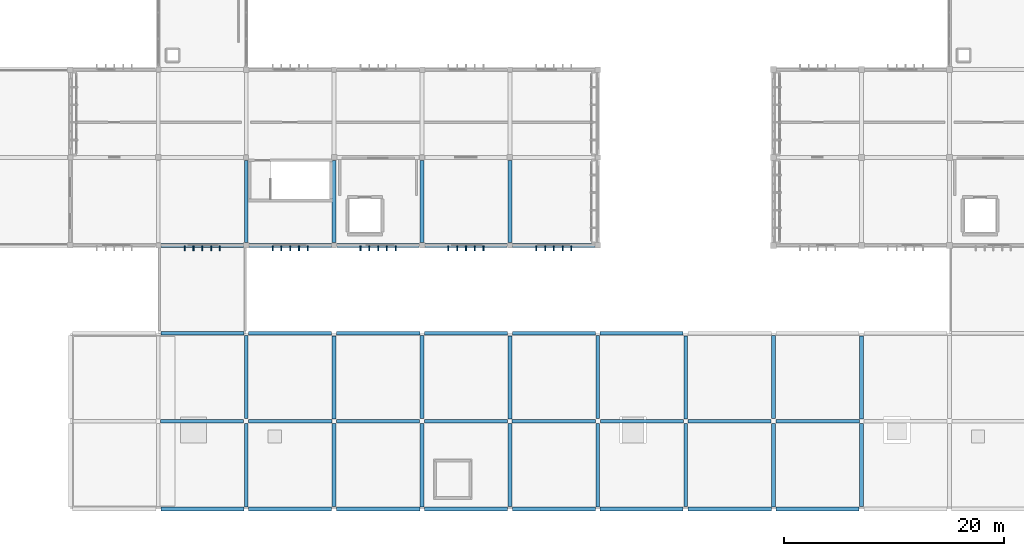
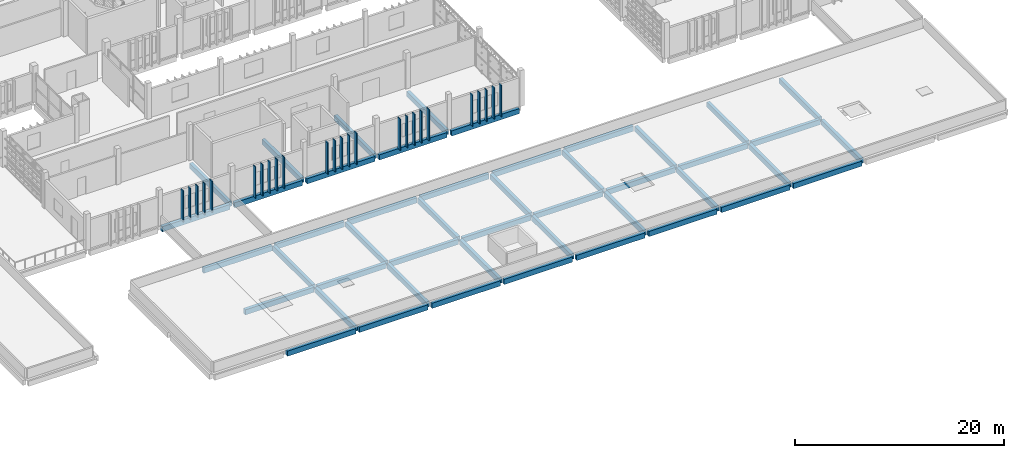
# One storey, part 7 of 48: 47 beams, 25 members.
"""IFC4 building model written with IfcOpenShell, lengths in metres."""

from ifc_helpers import new_model, si_unit, direction, frame, origin, origin_2d, place, context, subcontext, project, spatial, rectangle, extrude, material, material_profile, profile_set, type_object, element, save


model = new_model("IFC4")

# Units and contexts
model_context = context("Model", 3, precision=1e-05, world=origin(), true_north=direction((0.0, 1.0)))
body_context = subcontext(model_context, "Body", "Model", "MODEL_VIEW")
ifc_project = project(units=[si_unit("LENGTHUNIT", "METRE"), si_unit("AREAUNIT", "SQUARE_METRE"), si_unit("VOLUMEUNIT", "CUBIC_METRE"), si_unit("PLANEANGLEUNIT", "RADIAN"), si_unit("MASSUNIT", "GRAM", prefix="KILO")], contexts=[model_context])

# Site, building, storey
site_placement = place(None, origin())
site = spatial("IfcSite", under=ifc_project, at=site_placement, CompositionType="ELEMENT")
building_placement = place(site_placement, origin())
building = spatial("IfcBuilding", under=site, at=building_placement, Name="Jelvoka-Kovrelna Polytechnic", CompositionType="ELEMENT")
storey_placement = place(building_placement, frame((0.0, 0.0, 22.199951171875)))
storey = spatial("IfcBuildingStorey", under=building, at=storey_placement, Name="L06", CompositionType="ELEMENT", Elevation=22.199951171875)

# Beams
ifc_material_1 = material(Name="Concrete C35/45", Category="concrete")
ifc_material_profile_1 = material_profile(ifc_material_1, rectangle(XDim=0.35009765625, YDim=0.60009765625, at=origin_2d()), Name="RC 350x600")
ifc_profile_set_1 = profile_set([ifc_material_profile_1], Name="Concrete C35/45")
beam_type_1 = type_object("IfcBeamType", Name="Beam_RC_350x600", PredefinedType="BEAM", material=ifc_profile_set_1)
for number, where, z_axis, x_axis, name in (
    (1, (80.0, 32.2548828125, -0.5400390625), (0.0, 1.0, 0.0), (-1.0, 0.0, 0.0), "L06 beam 1642"),
    (2, (88.0, 32.2548828125, -0.5400390625), (0.0, 1.0, 0.0), (-1.0, 0.0, 0.0), "L06 beam 1644"),
    (3, (96.0, 32.2548828125, -0.5400390625), (0.0, 1.0, 0.0), (-1.0, 0.0, 0.0), "L06 beam 1646"),
    (4, (104.0, 32.2548828125, -0.5400390625), (0.0, 1.0, 0.0), (-1.0, 0.0, 0.0), "L06 beam 1648"),
):
    element("IfcBeam", number, at=place(storey_placement, frame(where, z_axis=z_axis, x_axis=x_axis)), inside=storey, type_object=beam_type_1, Name=name, PredefinedType="BEAM", context=body_context, shape_type="SweptSolid", body=[
        extrude(rectangle(XDim=0.35009765625, YDim=0.60009765625, at=origin_2d()), origin(), (0.0, 0.0, 1.0), 7.490234375),
    ])
for number, where, z_axis, x_axis, name in (
    (5, (72.205078125, 16.0, -0.5400390625), (1.0, 0.0, 0.0), (0.0, 1.0, 0.0), "L06 beam 2113"),
    (6, (80.22998046875, 16.0, -0.5400390625), (1.0, 0.0, 0.0), (0.0, 1.0, 0.0), "L06 beam 2114"),
    (7, (88.205078125, 16.0, -0.5400390625), (1.0, 0.0, 0.0), (0.0, 1.0, 0.0), "L06 beam 2115"),
    (8, (96.22998046875, 16.0, -0.5400390625), (1.0, 0.0, 0.0), (0.0, 1.0, 0.0), "L06 beam 2116"),
    (9, (104.205078125, 16.0, -0.5400390625), (1.0, 0.0, 0.0), (0.0, 1.0, 0.0), "L06 beam 2117"),
    (10, (112.22998046875, 16.0, -0.5400390625), (1.0, 0.0, 0.0), (0.0, 1.0, 0.0), "L06 beam 2118"),
    (11, (120.205078125, 16.0, -0.5400390625), (1.0, 0.0, 0.0), (0.0, 1.0, 0.0), "L06 beam 2119"),
    (12, (128.22998046875, 16.0, -0.5400390625), (1.0, 0.0, 0.0), (0.0, 1.0, 0.0), "L06 beam 2120"),
    (13, (80.0, 8.205078125, -0.5400390625), (0.0, 1.0, 0.0), (-1.0, 0.0, 0.0), "L06 beam 2138"),
    (14, (80.0, 16.22998046875, -0.5400390625), (0.0, 1.0, 0.0), (-1.0, 0.0, 0.0), "L06 beam 2139"),
    (15, (88.0, 8.22998046875, -0.5400390625), (0.0, 1.0, 0.0), (-1.0, 0.0, 0.0), "L06 beam 2140"),
    (16, (88.0, 16.205078125, -0.5400390625), (0.0, 1.0, 0.0), (-1.0, 0.0, 0.0), "L06 beam 2141"),
    (17, (96.0, 8.205078125, -0.5400390625), (0.0, 1.0, 0.0), (-1.0, 0.0, 0.0), "L06 beam 2142"),
    (18, (96.0, 16.22998046875, -0.5400390625), (0.0, 1.0, 0.0), (-1.0, 0.0, 0.0), "L06 beam 2143"),
    (19, (104.0, 8.22998046875, -0.5400390625), (0.0, 1.0, 0.0), (-1.0, 0.0, 0.0), "L06 beam 2144"),
    (20, (104.0, 16.205078125, -0.5400390625), (0.0, 1.0, 0.0), (-1.0, 0.0, 0.0), "L06 beam 2145"),
    (21, (112.0, 8.205078125, -0.5400390625), (0.0, 1.0, 0.0), (-1.0, 0.0, 0.0), "L06 beam 2146"),
    (22, (112.0, 16.22998046875, -0.5400390625), (0.0, 1.0, 0.0), (-1.0, 0.0, 0.0), "L06 beam 2147"),
    (23, (120.0, 8.22998046875, -0.5400390625), (0.0, 1.0, 0.0), (-1.0, 0.0, 0.0), "L06 beam 2148"),
    (24, (120.0, 16.205078125, -0.5400390625), (0.0, 1.0, 0.0), (-1.0, 0.0, 0.0), "L06 beam 2149"),
    (25, (128.0, 8.205078125, -0.5400390625), (0.0, 1.0, 0.0), (-1.0, 0.0, 0.0), "L06 beam 2150"),
    (26, (128.0, 16.22998046875, -0.5400390625), (0.0, 1.0, 0.0), (-1.0, 0.0, 0.0), "L06 beam 2151"),
    (27, (136.0, 8.22998046875, -0.5400390625), (0.0, 1.0, 0.0), (-1.0, 0.0, 0.0), "L06 beam 2152"),
    (28, (136.0, 16.205078125, -0.5400390625), (0.0, 1.0, 0.0), (-1.0, 0.0, 0.0), "L06 beam 2153"),
):
    element("IfcBeam", number, at=place(storey_placement, frame(where, z_axis=z_axis, x_axis=x_axis)), inside=storey, type_object=beam_type_1, Name=name, PredefinedType="BEAM", context=body_context, shape_type="SweptSolid", body=[
        extrude(rectangle(XDim=0.35009765625, YDim=0.60009765625, at=origin_2d()), origin(), (0.0, 0.0, 1.0), 7.56494140625),
    ])

# Members
ifc_material_2 = material(Name="Precast concrete C40/50", Category="concrete")
ifc_material_profile_2 = material_profile(ifc_material_2, rectangle(XDim=0.10009765625, YDim=0.449951171875, at=origin_2d()), Name="PC 100x450")
ifc_profile_set_2 = profile_set([ifc_material_profile_2], Name="Precast concrete C40/50")
member_type = type_object("IfcMemberType", Name="Louvre_Fin_100x450", PredefinedType="USERDEFINED", material=ifc_profile_set_2)
for number, where, z_axis, x_axis, name in (
    (29, (74.39990234375, 31.735107421875, -0.27001953125), (0.0, 0.0, 1.0), (1.0, 0.0, 0.0), "L06 B2W south vertical solar louvre fin 0821"),
    (30, (75.199951171875, 31.735107421875, -0.27001953125), (0.0, 0.0, 1.0), (1.0, 0.0, 0.0), "L06 B2W south vertical solar louvre fin 0822"),
    (31, (76.0, 31.735107421875, -0.27001953125), (0.0, 0.0, 1.0), (1.0, 0.0, 0.0), "L06 B2W south vertical solar louvre fin 0823"),
    (32, (76.800048828125, 31.735107421875, -0.27001953125), (0.0, 0.0, 1.0), (1.0, 0.0, 0.0), "L06 B2W south vertical solar louvre fin 0824"),
    (33, (77.60009765625, 31.735107421875, -0.27001953125), (0.0, 0.0, 1.0), (1.0, 0.0, 0.0), "L06 B2W south vertical solar louvre fin 0825"),
    (34, (82.39990234375, 31.735107421875, -0.27001953125), (0.0, 0.0, 1.0), (1.0, 0.0, 0.0), "L06 B2W south vertical solar louvre fin 0826"),
    (35, (83.199951171875, 31.735107421875, -0.27001953125), (0.0, 0.0, 1.0), (1.0, 0.0, 0.0), "L06 B2W south vertical solar louvre fin 0827"),
    (36, (84.0, 31.735107421875, -0.27001953125), (0.0, 0.0, 1.0), (1.0, 0.0, 0.0), "L06 B2W south vertical solar louvre fin 0828"),
    (37, (84.800048828125, 31.735107421875, -0.27001953125), (0.0, 0.0, 1.0), (1.0, 0.0, 0.0), "L06 B2W south vertical solar louvre fin 0829"),
    (38, (85.60009765625, 31.735107421875, -0.27001953125), (0.0, 0.0, 1.0), (1.0, 0.0, 0.0), "L06 B2W south vertical solar louvre fin 0830"),
    (39, (90.39990234375, 31.735107421875, -0.27001953125), (0.0, 0.0, 1.0), (1.0, 0.0, 0.0), "L06 B2W south vertical solar louvre fin 0836"),
    (40, (91.199951171875, 31.735107421875, -0.27001953125), (0.0, 0.0, 1.0), (1.0, 0.0, 0.0), "L06 B2W south vertical solar louvre fin 0837"),
    (41, (92.0, 31.735107421875, -0.27001953125), (0.0, 0.0, 1.0), (1.0, 0.0, 0.0), "L06 B2W south vertical solar louvre fin 0838"),
    (42, (92.800048828125, 31.735107421875, -0.27001953125), (0.0, 0.0, 1.0), (1.0, 0.0, 0.0), "L06 B2W south vertical solar louvre fin 0839"),
    (43, (93.60009765625, 31.735107421875, -0.27001953125), (0.0, 0.0, 1.0), (1.0, 0.0, 0.0), "L06 B2W south vertical solar louvre fin 0840"),
    (44, (98.39990234375, 31.735107421875, -0.27001953125), (0.0, 0.0, 1.0), (1.0, 0.0, 0.0), "L06 B2W south vertical solar louvre fin 0846"),
    (45, (99.199951171875, 31.735107421875, -0.27001953125), (0.0, 0.0, 1.0), (1.0, 0.0, 0.0), "L06 B2W south vertical solar louvre fin 0847"),
    (46, (100.0, 31.735107421875, -0.27001953125), (0.0, 0.0, 1.0), (1.0, 0.0, 0.0), "L06 B2W south vertical solar louvre fin 0848"),
    (47, (100.800048828125, 31.735107421875, -0.27001953125), (0.0, 0.0, 1.0), (1.0, 0.0, 0.0), "L06 B2W south vertical solar louvre fin 0849"),
    (48, (101.60009765625, 31.735107421875, -0.27001953125), (0.0, 0.0, 1.0), (1.0, 0.0, 0.0), "L06 B2W south vertical solar louvre fin 0850"),
    (49, (106.39990234375, 31.735107421875, -0.27001953125), (0.0, 0.0, 1.0), (1.0, 0.0, 0.0), "L06 B2W south vertical solar louvre fin 0856"),
    (50, (107.199951171875, 31.735107421875, -0.27001953125), (0.0, 0.0, 1.0), (1.0, 0.0, 0.0), "L06 B2W south vertical solar louvre fin 0857"),
    (51, (108.0, 31.735107421875, -0.27001953125), (0.0, 0.0, 1.0), (1.0, 0.0, 0.0), "L06 B2W south vertical solar louvre fin 0858"),
    (52, (108.800048828125, 31.735107421875, -0.27001953125), (0.0, 0.0, 1.0), (1.0, 0.0, 0.0), "L06 B2W south vertical solar louvre fin 0859"),
    (53, (109.60009765625, 31.735107421875, -0.27001953125), (0.0, 0.0, 1.0), (1.0, 0.0, 0.0), "L06 B2W south vertical solar louvre fin 0860"),
):
    element("IfcMember", number, at=place(storey_placement, frame(where, z_axis=z_axis, x_axis=x_axis)), inside=storey, type_object=member_type, Name=name, ObjectType="SUNSHADE", PredefinedType="USERDEFINED", context=body_context, shape_type="SweptSolid", body=[
        extrude(rectangle(XDim=0.10009765625, YDim=0.449951171875, at=origin_2d()), origin(), (0.0, 0.0, 1.0), 3.655029296875),
    ])

# Beams
ifc_material_3 = material(Name="Concrete C40/50", Category="concrete")
ifc_material_profile_3 = material_profile(ifc_material_3, rectangle(XDim=0.35009765625, YDim=0.60009765625, at=origin_2d()), Name="RC 350x600")
ifc_profile_set_3 = profile_set([ifc_material_profile_3], Name="Concrete C40/50")
beam_type_2 = type_object("IfcBeamType", Name="Spandrel_RC_350x600", PredefinedType="SPANDREL", material=ifc_profile_set_3)
for number, where, z_axis, x_axis, name in (
    (54, (72.2548828125, 32.0, -0.5400390625), (1.0, 0.0, 0.0), (0.0, 1.0, 0.0), "L06 beam 1622"),
    (55, (80.2548828125, 32.0, -0.5400390625), (1.0, 0.0, 0.0), (0.0, 1.0, 0.0), "L06 beam 1623"),
    (56, (88.2548828125, 32.0, -0.5400390625), (1.0, 0.0, 0.0), (0.0, 1.0, 0.0), "L06 beam 1624"),
    (57, (96.2548828125, 32.0, -0.5400390625), (1.0, 0.0, 0.0), (0.0, 1.0, 0.0), "L06 beam 1625"),
    (58, (104.2548828125, 32.0, -0.5400390625), (1.0, 0.0, 0.0), (0.0, 1.0, 0.0), "L06 beam 1626"),
):
    element("IfcBeam", number, at=place(storey_placement, frame(where, z_axis=z_axis, x_axis=x_axis)), inside=storey, type_object=beam_type_2, Name=name, PredefinedType="SPANDREL", context=body_context, shape_type="SweptSolid", body=[
        extrude(rectangle(XDim=0.35009765625, YDim=0.60009765625, at=origin_2d()), origin(), (0.0, 0.0, 1.0), 7.490234375),
    ])
for number, where, z_axis, x_axis, name in (
    (59, (72.22998046875, 8.0, -0.5400390625), (1.0, 0.0, 0.0), (0.0, 1.0, 0.0), "L06 beam 2102"),
    (60, (80.205078125, 8.0, -0.5400390625), (1.0, 0.0, 0.0), (0.0, 1.0, 0.0), "L06 beam 2103"),
    (61, (88.22998046875, 8.0, -0.5400390625), (1.0, 0.0, 0.0), (0.0, 1.0, 0.0), "L06 beam 2104"),
    (62, (96.205078125, 8.0, -0.5400390625), (1.0, 0.0, 0.0), (0.0, 1.0, 0.0), "L06 beam 2105"),
    (63, (104.22998046875, 8.0, -0.5400390625), (1.0, 0.0, 0.0), (0.0, 1.0, 0.0), "L06 beam 2106"),
    (64, (112.205078125, 8.0, -0.5400390625), (1.0, 0.0, 0.0), (0.0, 1.0, 0.0), "L06 beam 2107"),
    (65, (120.22998046875, 8.0, -0.5400390625), (1.0, 0.0, 0.0), (0.0, 1.0, 0.0), "L06 beam 2108"),
    (66, (128.205078125, 8.0, -0.5400390625), (1.0, 0.0, 0.0), (0.0, 1.0, 0.0), "L06 beam 2109"),
    (67, (72.22998046875, 24.0, -0.5400390625), (1.0, 0.0, 0.0), (0.0, 1.0, 0.0), "L06 beam 2124"),
    (68, (80.205078125, 24.0, -0.5400390625), (1.0, 0.0, 0.0), (0.0, 1.0, 0.0), "L06 beam 2125"),
    (69, (88.22998046875, 24.0, -0.5400390625), (1.0, 0.0, 0.0), (0.0, 1.0, 0.0), "L06 beam 2126"),
    (70, (96.205078125, 24.0, -0.5400390625), (1.0, 0.0, 0.0), (0.0, 1.0, 0.0), "L06 beam 2127"),
    (71, (104.22998046875, 24.0, -0.5400390625), (1.0, 0.0, 0.0), (0.0, 1.0, 0.0), "L06 beam 2128"),
    (72, (112.205078125, 24.0, -0.5400390625), (1.0, 0.0, 0.0), (0.0, 1.0, 0.0), "L06 beam 2129"),
):
    element("IfcBeam", number, at=place(storey_placement, frame(where, z_axis=z_axis, x_axis=x_axis)), inside=storey, type_object=beam_type_2, Name=name, PredefinedType="SPANDREL", context=body_context, shape_type="SweptSolid", body=[
        extrude(rectangle(XDim=0.35009765625, YDim=0.60009765625, at=origin_2d()), origin(), (0.0, 0.0, 1.0), 7.56494140625),
    ])

save(model, "model.ifc")
